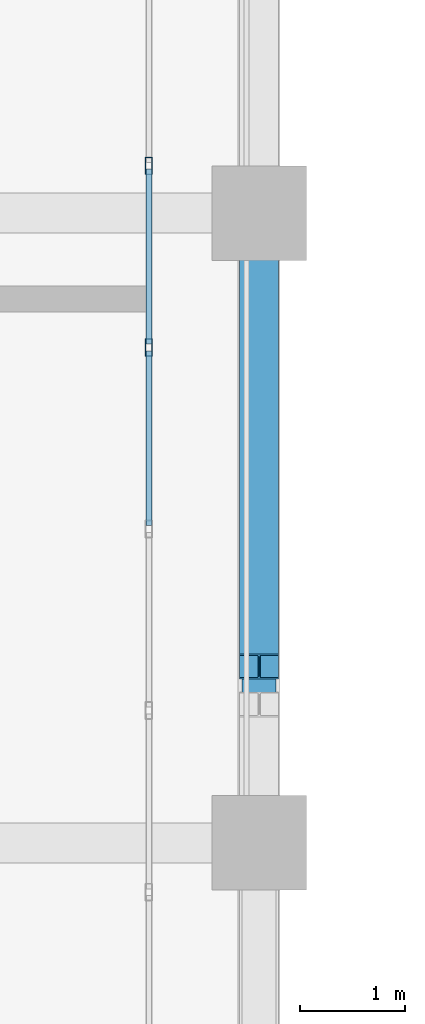
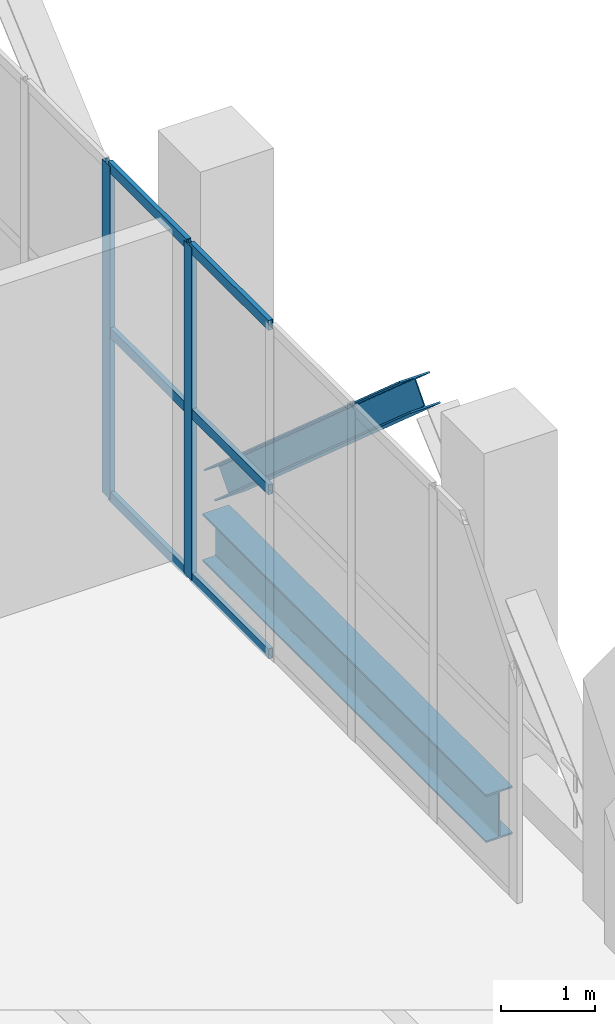
# One storey, part 9 of 26: 9 members, 1 beam, 1 element without a shape of its own.
"""IFC4 building model written with IfcOpenShell, lengths in metres."""

from ifc_helpers import new_model, si_unit, direction, frame, origin, origin_2d, place, context, subcontext, project, spatial, hollow_rectangle, i_section, extrude, material, layer, layer_set, material_profile, profile_set, type_object, element, aggregate, save


model = new_model("IFC4")

# Units and contexts
model_context = context("Model", 3, precision=1e-05, world=origin(), true_north=direction((0.0, 1.0)))
body_context = subcontext(model_context, "Body", "Model", "MODEL_VIEW")
ifc_project = project(units=[si_unit("LENGTHUNIT", "METRE"), si_unit("AREAUNIT", "SQUARE_METRE"), si_unit("VOLUMEUNIT", "CUBIC_METRE"), si_unit("PLANEANGLEUNIT", "RADIAN"), si_unit("MASSUNIT", "GRAM", prefix="KILO")], contexts=[model_context])

# Site, building, storey
site_placement = place(None, origin())
site = spatial("IfcSite", under=ifc_project, at=site_placement, CompositionType="ELEMENT")
building_placement = place(site_placement, origin())
building = spatial("IfcBuilding", under=site, at=building_placement, Name="Mawjdan Bourse Tower", CompositionType="ELEMENT")
storey_placement = place(building_placement, frame((0.0, 0.0, 226.800048828125)))
storey = spatial("IfcBuildingStorey", under=building, at=storey_placement, Name="L55", CompositionType="ELEMENT", Elevation=226.800048828125)

# Member
ifc_material_1 = material(Name="Structural Steel S460", Category="steel")
ifc_material_profile_1 = material_profile(ifc_material_1, i_section(OverallWidth=0.3701171875, OverallDepth=0.360107421875, WebThickness=0.01220703125, FlangeThickness=0.019775390625, FilletRadius=0.015869140625, at=origin_2d()), Name="W14X99")
ifc_profile_set_1 = profile_set([ifc_material_profile_1], Name="Structural Steel S460")
member_type_1 = type_object("IfcMemberType", Name="BRC-W14X99", PredefinedType="BRACE", material=ifc_profile_set_1)
member_1_placement = place(storey_placement, frame((24.0, 25.679931640625, 3.849853515625), z_axis=(0.0, 0.750121779504, -0.661299717159), x_axis=(-1.0, 0.0, 0.0)))
element("IfcMember", 1, at=member_1_placement, inside=storey, type_object=member_type_1, Name="L55 North Wing Perimeter Belt Truss Diagonal 2", PredefinedType="BRACE", context=body_context, shape_type="SweptSolid", body=[
    extrude(i_section(OverallWidth=0.3701171875, OverallDepth=0.360107421875, WebThickness=0.01220703125, FlangeThickness=0.019775390625, FilletRadius=0.015869140625, at=origin_2d()), origin(), (0.0, 0.0, 1.0), 5.519287109375),
])

# Curtain wall, members
ifc_material_2 = material(Name="Thermally Broken Aluminium and Solar Glass", Category="aluminium")
ifc_layer = layer(ifc_material_2, 0.219970703125)
ifc_layer_set = layer_set([ifc_layer], Name="Thermally Broken Aluminium and Solar Glass")
curtain_wall_type = type_object("IfcCurtainWallType", Name="CW-RFG", PredefinedType="USERDEFINED", material=ifc_layer_set)
curtain_wall_placement = place(storey_placement, origin())
curtain_wall = element("IfcCurtainWall", 2, at=curtain_wall_placement, inside=storey, type_object=curtain_wall_type, Name="L55 Refuge Band North-Wing Louvre Curtain Wall", ObjectType="REFUGE BAND LOUVRE SCREEN", PredefinedType="USERDEFINED")
ifc_material_3 = material(Name="Thermally Broken Anodised Aluminium", Category="aluminium")
ifc_material_profile_2 = material_profile(ifc_material_3, hollow_rectangle(XDim=0.06494140625, YDim=0.1650390625, WallThickness=0.00390625, at=origin_2d()), Name="ALU-MUL-165X65")
ifc_profile_set_2 = profile_set([ifc_material_profile_2], Name="Thermally Broken Anodised Aluminium")
member_type_2 = type_object("IfcMemberType", Name="MUL-ALU-MUL-165X65", PredefinedType="MULLION", material=ifc_profile_set_2)
member_2_placement = place(storey_placement, frame((22.949951171875, 28.719970703125, 0.0), z_axis=(0.0, 0.0, 1.0), x_axis=(-1.0, 0.0, 0.0)))
member_2 = element("IfcMember", 3, at=member_2_placement, type_object=member_type_2, Name="CW-RFG-L55-RFG-W mullion 5", PredefinedType="MULLION", context=body_context, shape_type="SweptSolid", body=[
    extrude(hollow_rectangle(XDim=0.06494140625, YDim=0.1650390625, WallThickness=0.00390625, at=origin_2d()), origin(), (0.0, 0.0, 1.0), 4.300048828125),
])
member_3_placement = place(storey_placement, frame((22.949951171875, 30.449951171875, 0.0), z_axis=(0.0, 0.0, 1.0), x_axis=(-1.0, 0.0, 0.0)))
member_3 = element("IfcMember", 4, at=member_3_placement, type_object=member_type_2, Name="CW-RFG-L55-RFG-W mullion 6", PredefinedType="MULLION", context=body_context, shape_type="SweptSolid", body=[
    extrude(hollow_rectangle(XDim=0.06494140625, YDim=0.1650390625, WallThickness=0.00390625, at=origin_2d()), origin(), (0.0, 0.0, 1.0), 4.300048828125),
])

# Beam
ifc_material_4 = material(Name="Structural Steel S355", Category="steel")
ifc_material_profile_3 = material_profile(ifc_material_4, i_section(OverallWidth=0.324951171875, OverallDepth=0.616943359375, WebThickness=0.013916015625, FlangeThickness=0.021484375, FilletRadius=0.017333984375, at=origin_2d()), Name="W24X117")
ifc_profile_set_3 = profile_set([ifc_material_profile_3], Name="Structural Steel S355")
beam_type = type_object("IfcBeamType", Name="SPN-W24X117", PredefinedType="SPANDREL", material=ifc_profile_set_3)
beam_placement = place(storey_placement, frame((24.0, 24.0, -0.588623046875), z_axis=(0.0, 1.0, 0.0), x_axis=(-1.0, 0.0, 0.0)))
element("IfcBeam", 5, at=beam_placement, inside=storey, type_object=beam_type, Name="L55 North Wing Spandrel 056", PredefinedType="SPANDREL", context=body_context, shape_type="SweptSolid", body=[
    extrude(i_section(OverallWidth=0.324951171875, OverallDepth=0.616943359375, WebThickness=0.013916015625, FlangeThickness=0.021484375, FilletRadius=0.017333984375, at=origin_2d()), origin(), (0.0, 0.0, 1.0), 6.0),
])

# Member
ifc_material_profile_4 = material_profile(ifc_material_3, hollow_rectangle(XDim=0.054931640625, YDim=0.1298828125, WallThickness=0.00341796875, at=origin_2d()), Name="ALU-TRN-130X55")
ifc_profile_set_4 = profile_set([ifc_material_profile_4], Name="Thermally Broken Anodised Aluminium")
member_type_3 = type_object("IfcMemberType", Name="TRN-ALU-TRN-130X55", PredefinedType="USERDEFINED", material=ifc_profile_set_4)
member_4_placement = place(storey_placement, frame((22.949951171875, 27.0224609375, 0.02734375), z_axis=(0.0, 1.0, 0.0), x_axis=(-1.0, 0.0, 0.0)))
member_4 = element("IfcMember", 6, at=member_4_placement, type_object=member_type_3, Name="CW-RFG-L55-RFG-W transom 4.1", ObjectType="TRANSOM", PredefinedType="USERDEFINED", context=body_context, shape_type="SweptSolid", body=[
    extrude(hollow_rectangle(XDim=0.054931640625, YDim=0.1298828125, WallThickness=0.00341796875, at=origin_2d()), origin(), (0.0, 0.0, 1.0), 1.6650390625),
])

member_5_placement = place(storey_placement, frame((22.949951171875, 27.0224609375, 2.14990234375), z_axis=(0.0, 1.0, 0.0), x_axis=(-1.0, 0.0, 0.0)))
member_5 = element("IfcMember", 7, at=member_5_placement, type_object=member_type_3, Name="CW-RFG-L55-RFG-W transom 4.2", ObjectType="TRANSOM", PredefinedType="USERDEFINED", context=body_context, shape_type="SweptSolid", body=[
    extrude(hollow_rectangle(XDim=0.054931640625, YDim=0.1298828125, WallThickness=0.00341796875, at=origin_2d()), origin(), (0.0, 0.0, 1.0), 1.6650390625),
])

member_6_placement = place(storey_placement, frame((22.949951171875, 27.0224609375, 4.2724609375), z_axis=(0.0, 1.0, 0.0), x_axis=(-1.0, 0.0, 0.0)))
member_6 = element("IfcMember", 8, at=member_6_placement, type_object=member_type_3, Name="CW-RFG-L55-RFG-W transom 4.3", ObjectType="TRANSOM", PredefinedType="USERDEFINED", context=body_context, shape_type="SweptSolid", body=[
    extrude(hollow_rectangle(XDim=0.054931640625, YDim=0.1298828125, WallThickness=0.00341796875, at=origin_2d()), origin(), (0.0, 0.0, 1.0), 1.6650390625),
])

member_7_placement = place(storey_placement, frame((22.949951171875, 28.75244140625, 0.02734375), z_axis=(0.0, 1.0, 0.0), x_axis=(-1.0, 0.0, 0.0)))
member_7 = element("IfcMember", 9, at=member_7_placement, type_object=member_type_3, Name="CW-RFG-L55-RFG-W transom 5.1", ObjectType="TRANSOM", PredefinedType="USERDEFINED", context=body_context, shape_type="SweptSolid", body=[
    extrude(hollow_rectangle(XDim=0.054931640625, YDim=0.1298828125, WallThickness=0.00341796875, at=origin_2d()), origin(), (0.0, 0.0, 1.0), 1.6650390625),
])

member_8_placement = place(storey_placement, frame((22.949951171875, 28.75244140625, 2.14990234375), z_axis=(0.0, 1.0, 0.0), x_axis=(-1.0, 0.0, 0.0)))
member_8 = element("IfcMember", 10, at=member_8_placement, type_object=member_type_3, Name="CW-RFG-L55-RFG-W transom 5.2", ObjectType="TRANSOM", PredefinedType="USERDEFINED", context=body_context, shape_type="SweptSolid", body=[
    extrude(hollow_rectangle(XDim=0.054931640625, YDim=0.1298828125, WallThickness=0.00341796875, at=origin_2d()), origin(), (0.0, 0.0, 1.0), 1.6650390625),
])

member_9_placement = place(storey_placement, frame((22.949951171875, 28.75244140625, 4.2724609375), z_axis=(0.0, 1.0, 0.0), x_axis=(-1.0, 0.0, 0.0)))
member_9 = element("IfcMember", 11, at=member_9_placement, type_object=member_type_3, Name="CW-RFG-L55-RFG-W transom 5.3", ObjectType="TRANSOM", PredefinedType="USERDEFINED", context=body_context, shape_type="SweptSolid", body=[
    extrude(hollow_rectangle(XDim=0.054931640625, YDim=0.1298828125, WallThickness=0.00341796875, at=origin_2d()), origin(), (0.0, 0.0, 1.0), 1.6650390625),
])

aggregate(curtain_wall, [member_2, member_3, member_4, member_5, member_6, member_7, member_8, member_9])

save(model, "model.ifc")
